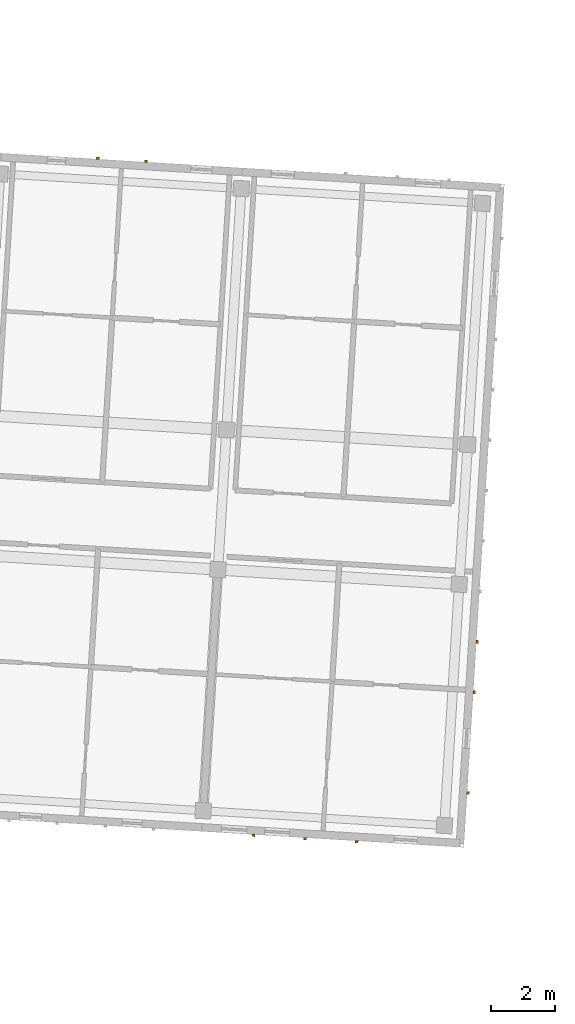
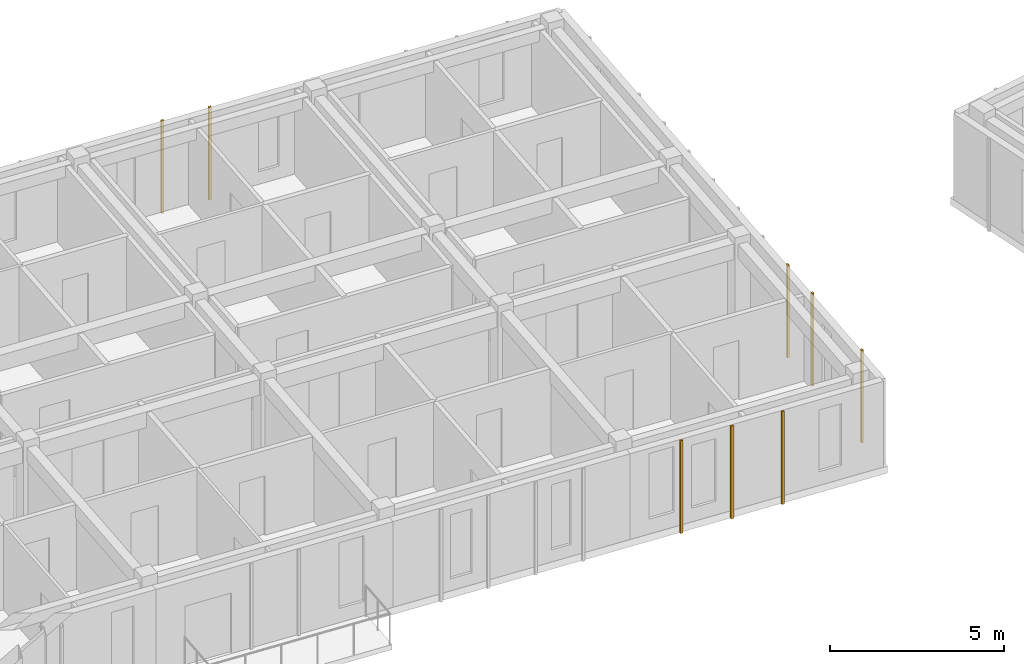
# One storey, part 54 of 68: 8 coverings.
"""IFC4 building model written with IfcOpenShell, lengths in metres."""

from ifc_helpers import new_model, si_unit, direction, frame, origin, origin_2d, place, context, subcontext, project, spatial, rectangle, extrude, material, layer, layer_set, type_object, element, save


model = new_model("IFC4")

# Units and contexts
model_context = context("Model", 3, precision=1e-05, world=origin(), true_north=direction((0.0, 1.0)))
body_context = subcontext(model_context, "Body", "Model", "MODEL_VIEW")
ifc_project = project(units=[si_unit("LENGTHUNIT", "METRE"), si_unit("AREAUNIT", "SQUARE_METRE"), si_unit("VOLUMEUNIT", "CUBIC_METRE"), si_unit("PLANEANGLEUNIT", "RADIAN"), si_unit("MASSUNIT", "GRAM", prefix="KILO")], contexts=[model_context])

# Site, building, storey
site_placement = place(None, origin())
site = spatial("IfcSite", under=ifc_project, at=site_placement, CompositionType="ELEMENT")
building_placement = place(site_placement, origin())
building = spatial("IfcBuilding", under=site, at=building_placement, Name="Kestramere Prow Commons", CompositionType="ELEMENT")
storey_placement = place(building_placement, frame((0.0, 0.0, 18.14990234375)))
storey = spatial("IfcBuildingStorey", under=building, at=storey_placement, Name="L05", CompositionType="ELEMENT", Elevation=18.14990234375)

# Coverings
ifc_material = material(Name="Weathered Zinc-Titanium Standing-Seam Cladding")
ifc_layer = layer(ifc_material, 0.074951171875)
ifc_layer_set = layer_set([ifc_layer], Name="Weathered Zinc-Titanium Standing-Seam Cladding")
covering_type = type_object("IfcCoveringType", Name="COV-CLAD-SEAM", PredefinedType="CLADDING", material=ifc_layer_set)
for number, where, z_axis, x_axis, name in (
    (1, (102.253662109375, 43.206298828125, -0.25), (0.0, 0.0, 1.0), (-0.998134798422, 0.061048539535, 0.0), "EW-C-L05-S-5 Standing-Seam Rib 2"),
    (2, (100.631591796875, 43.305419921875, -0.25), (0.0, 0.0, 1.0), (-0.998134798422, 0.061048539535, 0.0), "EW-C-L05-S-5 Standing-Seam Rib 3"),
    (3, (99.009765625, 43.40478515625, -0.25), (0.0, 0.0, 1.0), (-0.998134798422, 0.061048539535, 0.0), "EW-C-L05-S-5 Standing-Seam Rib 4"),
    (4, (94.115478515625, 64.6982421875, -0.25), (0.0, 0.0, 1.0), (0.998134798422, -0.061048539535, 0.0), "EW-C-L05-N-4 Standing-Seam Rib 2"),
    (5, (95.6328125, 64.60546875, -0.25), (0.0, 0.0, 1.0), (0.998134798422, -0.061048539535, 0.0), "EW-C-L05-N-4 Standing-Seam Rib 3"),
    (6, (106.047119140625, 49.492919921875, -0.25), (0.0, 0.0, 1.0), (-0.061048539535, -0.998134798422, 0.0), "EW-C-L05-EAV Standing-Seam Rib 9"),
    (7, (105.949951171875, 47.9072265625, -0.25), (0.0, 0.0, 1.0), (-0.061048539535, -0.998134798422, 0.0), "EW-C-L05-EAV Standing-Seam Rib 10"),
    (8, (105.756103515625, 44.736328125, -0.25), (0.0, 0.0, 1.0), (-0.061048539535, -0.998134798422, 0.0), "EW-C-L05-EAV Standing-Seam Rib 12"),
):
    element("IfcCovering", number, at=place(storey_placement, frame(where, z_axis=z_axis, x_axis=x_axis)), inside=storey, type_object=covering_type, Name=name, PredefinedType="CLADDING", context=body_context, shape_type="SweptSolid", body=[
        extrude(rectangle(XDim=0.0849609375, YDim=0.06494140625, at=origin_2d()), origin(), (0.0, 0.0, 1.0), 3.25),
    ])

save(model, "model.ifc")
